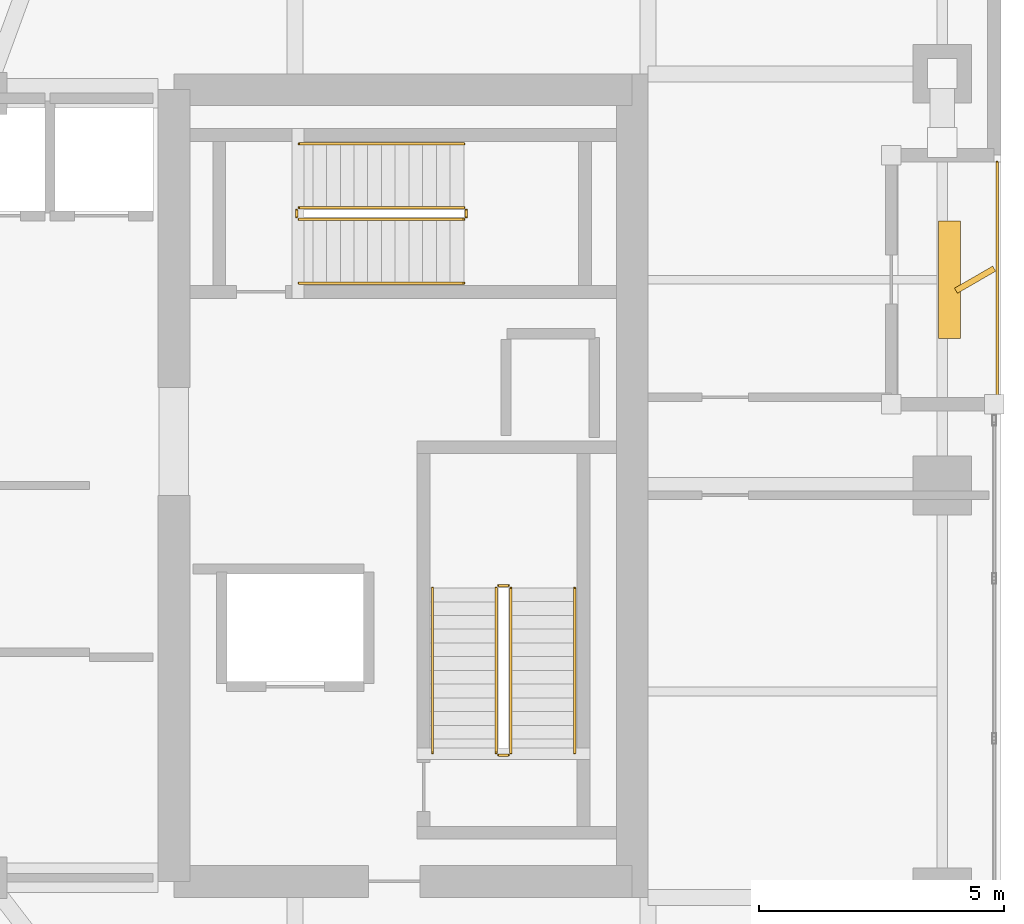
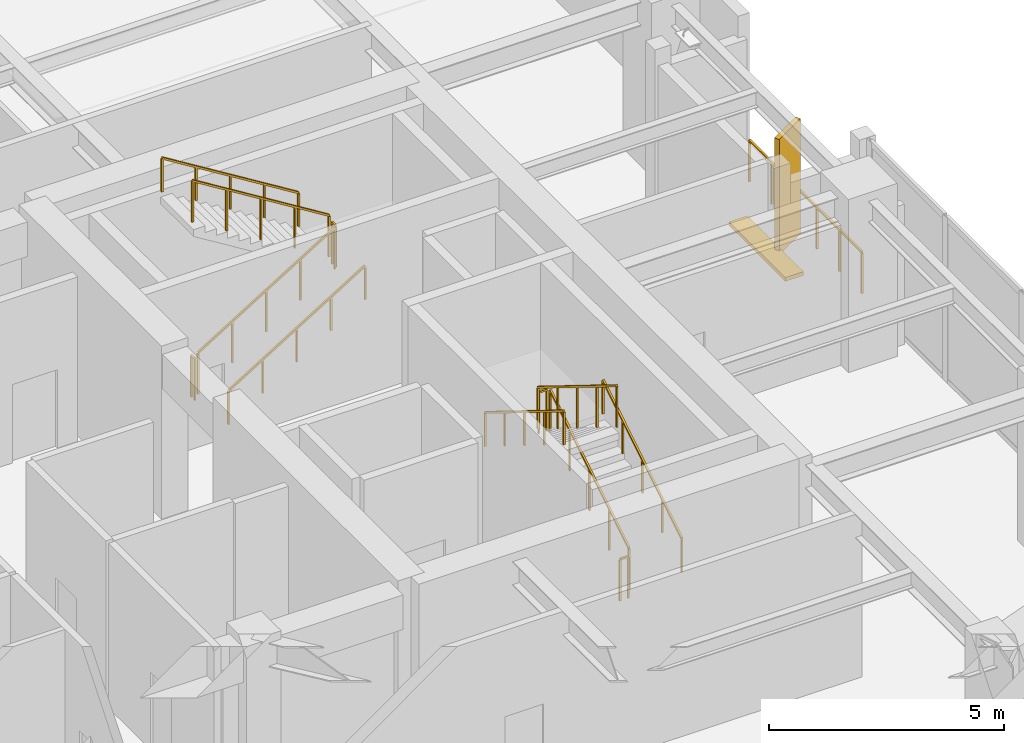
# One storey, part 20 of 21: 13 railings, 2 shading devices.
"""IFC4 building model written with IfcOpenShell, lengths in metres."""

from ifc_helpers import new_model, si_unit, direction, frame, origin, origin_2d, place, context, subcontext, project, spatial, rectangle, extrude, material, type_object, element, save


model = new_model("IFC4")

# Units and contexts
model_context = context("Model", 3, precision=1e-05, world=origin(), true_north=direction((0.0, 1.0)))
body_context = subcontext(model_context, "Body", "Model", "MODEL_VIEW")
ifc_project = project(units=[si_unit("LENGTHUNIT", "METRE"), si_unit("AREAUNIT", "SQUARE_METRE"), si_unit("VOLUMEUNIT", "CUBIC_METRE"), si_unit("PLANEANGLEUNIT", "RADIAN"), si_unit("MASSUNIT", "GRAM", prefix="KILO")], contexts=[model_context])

# Site, building, storey
site_placement = place(None, origin())
site = spatial("IfcSite", under=ifc_project, at=site_placement, CompositionType="ELEMENT")
building_placement = place(site_placement, origin())
building = spatial("IfcBuilding", under=site, at=building_placement, Name="Kiyonajd Concourse Tower", CompositionType="ELEMENT")
storey_placement = place(building_placement, frame((0.0, 0.0, 181.800048828125)))
storey = spatial("IfcBuildingStorey", under=building, at=storey_placement, Name="L46", CompositionType="ELEMENT", Elevation=181.800048828125)

# Railings
ifc_material_1 = material(Name="Thermally Broken Anodised Aluminium", Category="aluminium")
railing_type_1 = type_object("IfcRailingType", Name="RL-GRD-LOG", PredefinedType="GUARDRAIL", material=ifc_material_1)
railing_1_placement = place(storey_placement, frame((70.719970703125, 37.800048828125, 0.0)))
element("IfcRailing", 1, at=railing_1_placement, inside=storey, type_object=railing_type_1, Name="L46 Engawa Loggia Perimeter Guard LOG-E", PredefinedType="GUARDRAIL", context=body_context, shape_type="SweptSolid", body=[
    extrude(rectangle(XDim=0.048095703125, YDim=0.048095703125, at=origin_2d()), frame((0.0, 0.0, 1.076171875), z_axis=(0.0, 1.0, 0.0), x_axis=(-1.0, 0.0, 0.0)), (0.0, 0.0, 1.0), 4.800048828125),
    extrude(rectangle(XDim=0.0419921875, YDim=0.0419921875, at=origin_2d()), origin(), (0.0, 0.0, 1.0), 1.052001953125),
    extrude(rectangle(XDim=0.0419921875, YDim=0.0419921875, at=origin_2d()), frame((0.0, 0.9599609375, 0.0)), (0.0, 0.0, 1.0), 1.052001953125),
    extrude(rectangle(XDim=0.0419921875, YDim=0.0419921875, at=origin_2d()), frame((0.0, 1.919921875, 0.0)), (0.0, 0.0, 1.0), 1.052001953125),
    extrude(rectangle(XDim=0.0419921875, YDim=0.0419921875, at=origin_2d()), frame((0.0, 2.880126953125, 0.0)), (0.0, 0.0, 1.0), 1.052001953125),
    extrude(rectangle(XDim=0.0419921875, YDim=0.0419921875, at=origin_2d()), frame((0.0, 3.840087890625, 0.0)), (0.0, 0.0, 1.0), 1.052001953125),
    extrude(rectangle(XDim=0.0419921875, YDim=0.0419921875, at=origin_2d()), frame((0.0, 4.800048828125, 0.0)), (0.0, 0.0, 1.0), 1.052001953125),
])
ifc_material_2 = material(Name="Steel ASTM A500 Grade C", Category="steel")
railing_type_2 = type_object("IfcRailingType", Name="RL-GRD-STR", PredefinedType="GUARDRAIL", material=ifc_material_2)
railing_2_placement = place(storey_placement, frame((60.800048828125, 30.550048828125, 0.173095703125)))
element("IfcRailing", 2, at=railing_2_placement, inside=storey, type_object=railing_type_2, Name="L46 ST2 stair guard 1", PredefinedType="GUARDRAIL", context=body_context, shape_type="SweptSolid", body=[
    extrude(rectangle(XDim=0.048095703125, YDim=0.048095703125, at=origin_2d()), frame((0.0, 0.0, 1.076171875), z_axis=(0.0, 0.850606129759, 0.525803396734), x_axis=(-1.0, 0.0, 0.0)), (0.0, 0.0, 1.0), 3.949951171875),
    extrude(rectangle(XDim=0.0419921875, YDim=0.0419921875, at=origin_2d()), origin(), (0.0, 0.0, 1.0), 1.052001953125),
    extrude(rectangle(XDim=0.0419921875, YDim=0.0419921875, at=origin_2d()), frame((0.0, 0.83984375, 0.519287109375)), (0.0, 0.0, 1.0), 1.052001953125),
    extrude(rectangle(XDim=0.0419921875, YDim=0.0419921875, at=origin_2d()), frame((0.0, 1.679931640625, 1.03857421875)), (0.0, 0.0, 1.0), 1.052001953125),
    extrude(rectangle(XDim=0.0419921875, YDim=0.0419921875, at=origin_2d()), frame((0.0, 2.52001953125, 1.5576171875)), (0.0, 0.0, 1.0), 1.052001953125),
    extrude(rectangle(XDim=0.0419921875, YDim=0.0419921875, at=origin_2d()), frame((0.0, 3.35986328125, 2.076904296875)), (0.0, 0.0, 1.0), 1.052001953125),
])
railing_3_placement = place(storey_placement, frame((60.75, 33.9599609375, 2.25)))
element("IfcRailing", 3, at=railing_3_placement, inside=storey, type_object=railing_type_2, Name="L46 ST2 stair guard 2", PredefinedType="GUARDRAIL", context=body_context, shape_type="SweptSolid", body=[
    extrude(rectangle(XDim=0.048095703125, YDim=0.048095703125, at=origin_2d()), frame((0.0, 0.0, 1.076171875), z_axis=(-1.0, 0.0, 0.0), x_axis=(0.0, -1.0, 0.0)), (0.0, 0.0, 1.0), 0.199951171875),
    extrude(rectangle(XDim=0.0419921875, YDim=0.0419921875, at=origin_2d()), origin(), (0.0, 0.0, 1.0), 1.052001953125),
    extrude(rectangle(XDim=0.0419921875, YDim=0.0419921875, at=origin_2d()), frame((-0.199951171875, 0.0, 0.0)), (0.0, 0.0, 1.0), 1.052001953125),
])
railing_4_placement = place(storey_placement, frame((60.5, 33.909912109375, 2.423095703125)))
element("IfcRailing", 4, at=railing_4_placement, inside=storey, type_object=railing_type_2, Name="L46 ST2 stair guard 3", PredefinedType="GUARDRAIL", context=body_context, shape_type="SweptSolid", body=[
    extrude(rectangle(XDim=0.048095703125, YDim=0.048095703125, at=origin_2d()), frame((0.0, 0.0, 1.076171875), z_axis=(0.0, -0.850606129759, 0.525803396734), x_axis=(1.0, 0.0, 0.0)), (0.0, 0.0, 1.0), 3.949951171875),
    extrude(rectangle(XDim=0.0419921875, YDim=0.0419921875, at=origin_2d()), origin(), (0.0, 0.0, 1.0), 1.052001953125),
    extrude(rectangle(XDim=0.0419921875, YDim=0.0419921875, at=origin_2d()), frame((0.0, -0.83984375, 0.519287109375)), (0.0, 0.0, 1.0), 1.052001953125),
    extrude(rectangle(XDim=0.0419921875, YDim=0.0419921875, at=origin_2d()), frame((0.0, -1.679931640625, 1.03857421875)), (0.0, 0.0, 1.0), 1.052001953125),
    extrude(rectangle(XDim=0.0419921875, YDim=0.0419921875, at=origin_2d()), frame((0.0, -2.52001953125, 1.5576171875)), (0.0, 0.0, 1.0), 1.052001953125),
    extrude(rectangle(XDim=0.0419921875, YDim=0.0419921875, at=origin_2d()), frame((0.0, -3.35986328125, 2.076904296875)), (0.0, 0.0, 1.0), 1.052001953125),
])
railing_5_placement = place(storey_placement, frame((60.75, 30.5, 0.0)))
element("IfcRailing", 5, at=railing_5_placement, inside=storey, type_object=railing_type_2, Name="L46 ST2 stair guard 4", PredefinedType="GUARDRAIL", context=body_context, shape_type="SweptSolid", body=[
    extrude(rectangle(XDim=0.048095703125, YDim=0.048095703125, at=origin_2d()), frame((0.0, 0.0, 1.076171875), z_axis=(-1.0, 0.0, 0.0), x_axis=(0.0, -1.0, 0.0)), (0.0, 0.0, 1.0), 0.199951171875),
    extrude(rectangle(XDim=0.0419921875, YDim=0.0419921875, at=origin_2d()), origin(), (0.0, 0.0, 1.0), 1.052001953125),
    extrude(rectangle(XDim=0.0419921875, YDim=0.0419921875, at=origin_2d()), frame((-0.199951171875, 0.0, 0.0)), (0.0, 0.0, 1.0), 1.052001953125),
])
railing_6_placement = place(storey_placement, frame((56.47998046875, 41.429931640625, 0.173095703125)))
element("IfcRailing", 6, at=railing_6_placement, inside=storey, type_object=railing_type_2, Name="L46 ST3 stair guard 1", PredefinedType="GUARDRAIL", context=body_context, shape_type="SweptSolid", body=[
    extrude(rectangle(XDim=0.048095703125, YDim=0.048095703125, at=origin_2d()), frame((0.0, 0.0, 1.076171875), z_axis=(0.850623216509, 0.0, 0.525775754039), x_axis=(0.0, 1.0, 0.0)), (0.0, 0.0, 1.0), 3.9501953125),
    extrude(rectangle(XDim=0.0419921875, YDim=0.0419921875, at=origin_2d()), origin(), (0.0, 0.0, 1.0), 1.052001953125),
    extrude(rectangle(XDim=0.0419921875, YDim=0.0419921875, at=origin_2d()), frame((0.840087890625, 0.0, 0.519287109375)), (0.0, 0.0, 1.0), 1.052001953125),
    extrude(rectangle(XDim=0.0419921875, YDim=0.0419921875, at=origin_2d()), frame((1.68017578125, 0.0, 1.03857421875)), (0.0, 0.0, 1.0), 1.052001953125),
    extrude(rectangle(XDim=0.0419921875, YDim=0.0419921875, at=origin_2d()), frame((2.52001953125, 0.0, 1.5576171875)), (0.0, 0.0, 1.0), 1.052001953125),
    extrude(rectangle(XDim=0.0419921875, YDim=0.0419921875, at=origin_2d()), frame((3.360107421875, 0.0, 2.076904296875)), (0.0, 0.0, 1.0), 1.052001953125),
])
railing_7_placement = place(storey_placement, frame((59.889892578125, 41.47998046875, 2.25)))
element("IfcRailing", 7, at=railing_7_placement, inside=storey, type_object=railing_type_2, Name="L46 ST3 stair guard 2", PredefinedType="GUARDRAIL", context=body_context, shape_type="SweptSolid", body=[
    extrude(rectangle(XDim=0.048095703125, YDim=0.048095703125, at=origin_2d()), frame((0.0, 0.0, 1.076171875), z_axis=(0.0, 1.0, 0.0), x_axis=(-1.0, 0.0, 0.0)), (0.0, 0.0, 1.0), 0.14013671875),
    extrude(rectangle(XDim=0.0419921875, YDim=0.0419921875, at=origin_2d()), origin(), (0.0, 0.0, 1.0), 1.052001953125),
    extrude(rectangle(XDim=0.0419921875, YDim=0.0419921875, at=origin_2d()), frame((0.0, 0.14013671875, 0.0)), (0.0, 0.0, 1.0), 1.052001953125),
])
railing_8_placement = place(storey_placement, frame((59.840087890625, 41.669921875, 2.423095703125)))
element("IfcRailing", 8, at=railing_8_placement, inside=storey, type_object=railing_type_2, Name="L46 ST3 stair guard 3", PredefinedType="GUARDRAIL", context=body_context, shape_type="SweptSolid", body=[
    extrude(rectangle(XDim=0.048095703125, YDim=0.048095703125, at=origin_2d()), frame((0.0, 0.0, 1.076171875), z_axis=(-0.850623216509, 0.0, 0.525775754039), x_axis=(0.0, -1.0, 0.0)), (0.0, 0.0, 1.0), 3.9501953125),
    extrude(rectangle(XDim=0.0419921875, YDim=0.0419921875, at=origin_2d()), origin(), (0.0, 0.0, 1.0), 1.052001953125),
    extrude(rectangle(XDim=0.0419921875, YDim=0.0419921875, at=origin_2d()), frame((-0.840087890625, 0.0, 0.519287109375)), (0.0, 0.0, 1.0), 1.052001953125),
    extrude(rectangle(XDim=0.0419921875, YDim=0.0419921875, at=origin_2d()), frame((-1.68017578125, 0.0, 1.03857421875)), (0.0, 0.0, 1.0), 1.052001953125),
    extrude(rectangle(XDim=0.0419921875, YDim=0.0419921875, at=origin_2d()), frame((-2.52001953125, 0.0, 1.5576171875)), (0.0, 0.0, 1.0), 1.052001953125),
    extrude(rectangle(XDim=0.0419921875, YDim=0.0419921875, at=origin_2d()), frame((-3.360107421875, 0.0, 2.076904296875)), (0.0, 0.0, 1.0), 1.052001953125),
])
railing_9_placement = place(storey_placement, frame((56.429931640625, 41.47998046875, 0.0)))
element("IfcRailing", 9, at=railing_9_placement, inside=storey, type_object=railing_type_2, Name="L46 ST3 stair guard 4", PredefinedType="GUARDRAIL", context=body_context, shape_type="SweptSolid", body=[
    extrude(rectangle(XDim=0.048095703125, YDim=0.048095703125, at=origin_2d()), frame((0.0, 0.0, 1.076171875), z_axis=(0.0, 1.0, 0.0), x_axis=(-1.0, 0.0, 0.0)), (0.0, 0.0, 1.0), 0.14013671875),
    extrude(rectangle(XDim=0.0419921875, YDim=0.0419921875, at=origin_2d()), origin(), (0.0, 0.0, 1.0), 1.052001953125),
    extrude(rectangle(XDim=0.0419921875, YDim=0.0419921875, at=origin_2d()), frame((0.0, 0.14013671875, 0.0)), (0.0, 0.0, 1.0), 1.052001953125),
])
ifc_material_3 = material(Name="Brushed Stainless Steel Cab Assembly", Category="steel")
railing_type_3 = type_object("IfcRailingType", Name="RL-HND-900", PredefinedType="HANDRAIL", material=ifc_material_3)
railing_10_placement = place(storey_placement, frame((62.10009765625, 30.550048828125, 0.173095703125)))
element("IfcRailing", 10, at=railing_10_placement, inside=storey, type_object=railing_type_3, Name="L46 ST2 stair handrail 1", PredefinedType="HANDRAIL", context=body_context, shape_type="SweptSolid", body=[
    extrude(rectangle(XDim=0.048095703125, YDim=0.048095703125, at=origin_2d()), frame((0.0, 0.0, 0.8759765625), z_axis=(0.0, 0.850606129759, 0.525803396734), x_axis=(-1.0, 0.0, 0.0)), (0.0, 0.0, 1.0), 3.949951171875),
    extrude(rectangle(XDim=0.0419921875, YDim=0.0419921875, at=origin_2d()), origin(), (0.0, 0.0, 1.0), 0.851806640625),
    extrude(rectangle(XDim=0.0419921875, YDim=0.0419921875, at=origin_2d()), frame((0.0, 0.83984375, 0.519287109375)), (0.0, 0.0, 1.0), 0.851806640625),
    extrude(rectangle(XDim=0.0419921875, YDim=0.0419921875, at=origin_2d()), frame((0.0, 1.679931640625, 1.03857421875)), (0.0, 0.0, 1.0), 0.851806640625),
    extrude(rectangle(XDim=0.0419921875, YDim=0.0419921875, at=origin_2d()), frame((0.0, 2.52001953125, 1.5576171875)), (0.0, 0.0, 1.0), 0.851806640625),
    extrude(rectangle(XDim=0.0419921875, YDim=0.0419921875, at=origin_2d()), frame((0.0, 3.35986328125, 2.076904296875)), (0.0, 0.0, 1.0), 0.851806640625),
])
railing_11_placement = place(storey_placement, frame((59.199951171875, 33.909912109375, 2.423095703125)))
element("IfcRailing", 11, at=railing_11_placement, inside=storey, type_object=railing_type_3, Name="L46 ST2 stair handrail 2", PredefinedType="HANDRAIL", context=body_context, shape_type="SweptSolid", body=[
    extrude(rectangle(XDim=0.048095703125, YDim=0.048095703125, at=origin_2d()), frame((0.0, 0.0, 0.8759765625), z_axis=(0.0, -0.850606129759, 0.525803396734), x_axis=(1.0, 0.0, 0.0)), (0.0, 0.0, 1.0), 3.949951171875),
    extrude(rectangle(XDim=0.0419921875, YDim=0.0419921875, at=origin_2d()), origin(), (0.0, 0.0, 1.0), 0.851806640625),
    extrude(rectangle(XDim=0.0419921875, YDim=0.0419921875, at=origin_2d()), frame((0.0, -0.83984375, 0.519287109375)), (0.0, 0.0, 1.0), 0.851806640625),
    extrude(rectangle(XDim=0.0419921875, YDim=0.0419921875, at=origin_2d()), frame((0.0, -1.679931640625, 1.03857421875)), (0.0, 0.0, 1.0), 0.851806640625),
    extrude(rectangle(XDim=0.0419921875, YDim=0.0419921875, at=origin_2d()), frame((0.0, -2.52001953125, 1.5576171875)), (0.0, 0.0, 1.0), 0.851806640625),
    extrude(rectangle(XDim=0.0419921875, YDim=0.0419921875, at=origin_2d()), frame((0.0, -3.35986328125, 2.076904296875)), (0.0, 0.0, 1.0), 0.851806640625),
])
railing_12_placement = place(storey_placement, frame((56.47998046875, 40.1298828125, 0.173095703125)))
element("IfcRailing", 12, at=railing_12_placement, inside=storey, type_object=railing_type_3, Name="L46 ST3 stair handrail 1", PredefinedType="HANDRAIL", context=body_context, shape_type="SweptSolid", body=[
    extrude(rectangle(XDim=0.048095703125, YDim=0.048095703125, at=origin_2d()), frame((0.0, 0.0, 0.8759765625), z_axis=(0.850623216509, 0.0, 0.525775754039), x_axis=(0.0, 1.0, 0.0)), (0.0, 0.0, 1.0), 3.9501953125),
    extrude(rectangle(XDim=0.0419921875, YDim=0.0419921875, at=origin_2d()), origin(), (0.0, 0.0, 1.0), 0.851806640625),
    extrude(rectangle(XDim=0.0419921875, YDim=0.0419921875, at=origin_2d()), frame((0.840087890625, 0.0, 0.519287109375)), (0.0, 0.0, 1.0), 0.851806640625),
    extrude(rectangle(XDim=0.0419921875, YDim=0.0419921875, at=origin_2d()), frame((1.68017578125, 0.0, 1.03857421875)), (0.0, 0.0, 1.0), 0.851806640625),
    extrude(rectangle(XDim=0.0419921875, YDim=0.0419921875, at=origin_2d()), frame((2.52001953125, 0.0, 1.5576171875)), (0.0, 0.0, 1.0), 0.851806640625),
    extrude(rectangle(XDim=0.0419921875, YDim=0.0419921875, at=origin_2d()), frame((3.360107421875, 0.0, 2.076904296875)), (0.0, 0.0, 1.0), 0.851806640625),
])
railing_13_placement = place(storey_placement, frame((59.840087890625, 42.969970703125, 2.423095703125)))
element("IfcRailing", 13, at=railing_13_placement, inside=storey, type_object=railing_type_3, Name="L46 ST3 stair handrail 2", PredefinedType="HANDRAIL", context=body_context, shape_type="SweptSolid", body=[
    extrude(rectangle(XDim=0.048095703125, YDim=0.048095703125, at=origin_2d()), frame((0.0, 0.0, 0.8759765625), z_axis=(-0.850623216509, 0.0, 0.525775754039), x_axis=(0.0, -1.0, 0.0)), (0.0, 0.0, 1.0), 3.9501953125),
    extrude(rectangle(XDim=0.0419921875, YDim=0.0419921875, at=origin_2d()), origin(), (0.0, 0.0, 1.0), 0.851806640625),
    extrude(rectangle(XDim=0.0419921875, YDim=0.0419921875, at=origin_2d()), frame((-0.840087890625, 0.0, 0.519287109375)), (0.0, 0.0, 1.0), 0.851806640625),
    extrude(rectangle(XDim=0.0419921875, YDim=0.0419921875, at=origin_2d()), frame((-1.68017578125, 0.0, 1.03857421875)), (0.0, 0.0, 1.0), 0.851806640625),
    extrude(rectangle(XDim=0.0419921875, YDim=0.0419921875, at=origin_2d()), frame((-2.52001953125, 0.0, 1.5576171875)), (0.0, 0.0, 1.0), 0.851806640625),
    extrude(rectangle(XDim=0.0419921875, YDim=0.0419921875, at=origin_2d()), frame((-3.360107421875, 0.0, 2.076904296875)), (0.0, 0.0, 1.0), 0.851806640625),
])

# Shading devices
ifc_material_4 = material(Name="Precast concrete C50/60", Category="concrete")
shading_device_type_1 = type_object("IfcShadingDeviceType", Name="SH-FIN-900", PredefinedType="USERDEFINED", material=ifc_material_4)
shading_device_1_placement = place(storey_placement, frame((70.27001953125, 40.199951171875, 0.0), z_axis=(0.0, 0.0, 1.0), x_axis=(0.866025403784, 0.5, 0.0)))
element("IfcShadingDevice", 14, at=shading_device_1_placement, inside=storey, type_object=shading_device_type_1, Name="L46 Angled Koshi Solar Fin LOG-E", ObjectType="FIN", PredefinedType="USERDEFINED", context=body_context, shape_type="SweptSolid", body=[
    extrude(rectangle(XDim=0.89990234375, YDim=0.1201171875, at=origin_2d()), origin(), (0.0, 0.0, 1.0), 3.0),
])
shading_device_type_2 = type_object("IfcShadingDeviceType", Name="SH-LVR-600", PredefinedType="JALOUSIE", material=ifc_material_1)
shading_device_2_placement = place(storey_placement, frame((69.75, 40.199951171875, 0.0), z_axis=(0.0, 0.0, 1.0), x_axis=(0.0, 1.0, 0.0)))
element("IfcShadingDevice", 15, at=shading_device_2_placement, inside=storey, type_object=shading_device_type_2, Name="L46 Loggia Threshold Louver LOG-E", PredefinedType="JALOUSIE", context=body_context, shape_type="SweptSolid", body=[
    extrude(rectangle(XDim=2.39990234375, YDim=0.449951171875, at=origin_2d()), origin(), (0.0, 0.0, 1.0), 0.10009765625),
])

save(model, "model.ifc")
